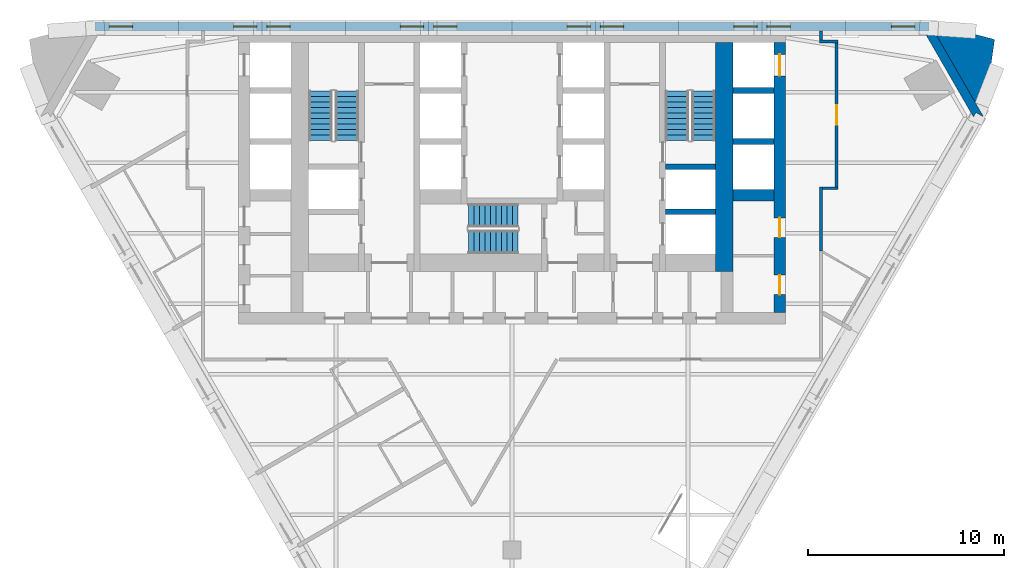
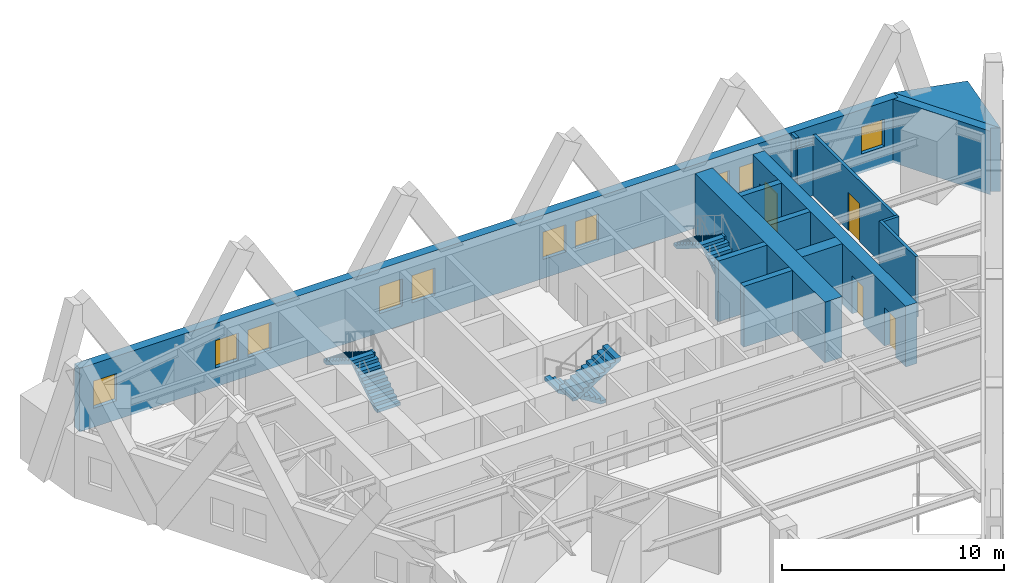
# One storey, part 8 of 10: 15 walls, 10 windows, 6 stair flights, 4 doors, 14 openings, 3 elements without a shape of their own.
"""IFC4 building model written with IfcOpenShell, lengths in metres."""

import ifcopenshell
import ifcopenshell.guid

model = None  # the IFC model being written
_history = None  # IfcOwnerHistory: only IFC2X3 demands one
_inside = {}  # id of a spatial element -> (the spatial element, [elements in it])
_under = {}  # id of a project, library or spatial element -> (it, [spatial elements below it])
_declared = {}  # id of a project -> (the project, [libraries it declares])
_typed = {}  # id of a type object -> (the type object, [elements of that type])
_made_of = {}  # id of a material, layer set ... -> (it, [elements and type objects made of it])


def new_model(schema):
    """Start an empty IFC model of exactly this schema.

    Asked for "IFC4X3", IfcOpenShell would pick the latest addendum, in which some entities
    have other attributes; the version numbers below select the first issue.
    IFC2X3 requires an IfcOwnerHistory on every rooted entity: one is made here for all.
    """
    global model, _history
    if schema == "IFC4X3":
        model = ifcopenshell.file(schema_version=(4, 3, 0, 0))
    else:
        model = ifcopenshell.file(schema=schema)
    _inside.clear()
    _under.clear()
    _declared.clear()
    _typed.clear()
    _made_of.clear()
    _history = None
    if model.schema == "IFC2X3":
        org = make("IfcOrganization", Name="unknown")
        user = make(
            "IfcPersonAndOrganization",
            ThePerson=make("IfcPerson", FamilyName="unknown"),
            TheOrganization=org,
        )
        app = make(
            "IfcApplication",
            ApplicationDeveloper=org,
            Version="unknown",
            ApplicationFullName="unknown",
            ApplicationIdentifier="unknown",
        )
        _history = make(
            "IfcOwnerHistory",
            OwningUser=user,
            OwningApplication=app,
            ChangeAction="ADDED",
            CreationDate=0,
        )
    return model


def make(cls, **values):
    """One entity of the class cls with the attributes given. An attribute that is None is left unset."""
    return model.create_entity(
        cls, **{name: value for name, value in values.items() if value is not None}
    )


def rooted(cls, **values):
    """An entity with a GlobalId (a new one), such as an element, a storey or a relation."""
    return make(cls, GlobalId=ifcopenshell.guid.new(), OwnerHistory=_history, **values)


def si_unit(unit_type, name, prefix=None):
    """IfcSIUnit, for example si_unit("LENGTHUNIT", "METRE", prefix="MILLI")."""
    return make("IfcSIUnit", UnitType=unit_type, Prefix=prefix, Name=name)


def assignment(units):
    """IfcUnitAssignment: the units of a project."""
    return None if units is None else make("IfcUnitAssignment", Units=units)


def point(xyz):
    """IfcCartesianPoint."""
    return None if xyz is None else make("IfcCartesianPoint", Coordinates=xyz)


def direction(xyz):
    """IfcDirection."""
    return None if xyz is None else make("IfcDirection", DirectionRatios=xyz)


def frame(location, z_axis=None, x_axis=None):
    """IfcAxis2Placement3D, a coordinate frame: its origin and axes. An axis left out is left unset."""
    return make(
        "IfcAxis2Placement3D",
        Location=point(location),
        Axis=direction(z_axis),
        RefDirection=direction(x_axis),
    )


def frame_2d(location, x_axis=None):
    """IfcAxis2Placement2D, a coordinate frame in the plane: its origin and x axis."""
    return make(
        "IfcAxis2Placement2D", Location=point(location), RefDirection=direction(x_axis)
    )


def origin():
    """The frame at (0, 0, 0) with its axes left unset."""
    return frame((0.0, 0.0, 0.0))


def place(relative_to, where):
    """IfcLocalPlacement: puts the frame where relative to a parent placement (None: the world)."""
    return make(
        "IfcLocalPlacement", PlacementRelTo=relative_to, RelativePlacement=where
    )


def context(
    kind, dimensions, precision=None, world=None, true_north=None, identifier=None
):
    """IfcGeometricRepresentationContext, for example the 3D "Model" context."""
    return make(
        "IfcGeometricRepresentationContext",
        ContextIdentifier=identifier,
        ContextType=kind,
        CoordinateSpaceDimension=dimensions,
        Precision=precision,
        WorldCoordinateSystem=world,
        TrueNorth=true_north,
    )


def subcontext(parent, identifier, kind, view, scale=None):
    """IfcGeometricRepresentationSubContext, for example "Body" below "Model"."""
    return make(
        "IfcGeometricRepresentationSubContext",
        ContextIdentifier=identifier,
        ContextType=kind,
        ParentContext=parent,
        TargetScale=scale,
        TargetView=view,
    )


def project(units=None, contexts=None):
    """IfcProject with its units and contexts."""
    return rooted(
        "IfcProject",
        Name="project",
        RepresentationContexts=contexts,
        UnitsInContext=assignment(units),
    )


def spatial(cls, under=None, at=None, **own):
    """A site, building, storey or space (cls), placed at a placement, below another one or the project."""
    s = rooted(cls, ObjectPlacement=at, **own)
    if under is not None:
        _under.setdefault(under.id(), (under, []))[1].append(s)
    return s


def polyline(points):
    """IfcPolyline through the points."""
    return make("IfcPolyline", Points=[point(p) for p in points])


def profile(cls, at=None, kind="AREA", **sizes):
    """A parametric profile (cls). Its sizes go by their IFC names, for example OverallWidth=200.0."""
    return make(cls, ProfileType=kind, Position=at, **sizes)


def rectangle(**sizes):
    """IfcRectangleProfileDef."""
    return profile("IfcRectangleProfileDef", **sizes)


def outline(outer, holes=None, kind="AREA"):
    """IfcArbitraryClosedProfileDef: a profile drawn as a closed curve; with holes, ...WithVoids."""
    if holes is None:
        return make("IfcArbitraryClosedProfileDef", ProfileType=kind, OuterCurve=outer)
    return make(
        "IfcArbitraryProfileDefWithVoids",
        ProfileType=kind,
        OuterCurve=outer,
        InnerCurves=holes,
    )


def extrude(swept, where, along, depth):
    """IfcExtrudedAreaSolid: the profile swept, set in the frame where, extruded along a direction by depth."""
    return make(
        "IfcExtrudedAreaSolid",
        SweptArea=swept,
        Position=where,
        ExtrudedDirection=direction(along),
        Depth=depth,
    )


def shape(context_of_items, identifier, shape_type, items):
    """IfcShapeRepresentation: the items that make up one representation, for example the "Body"."""
    return make(
        "IfcShapeRepresentation",
        ContextOfItems=context_of_items,
        RepresentationIdentifier=identifier,
        RepresentationType=shape_type,
        Items=items,
    )


def material(Name=None, Category=None):
    """IfcMaterial."""
    return make("IfcMaterial", Name=Name, Category=Category)


def layer(
    of_material, thickness, ventilated=None, Name=None, Category=None, Priority=None
):
    """IfcMaterialLayer: one layer of a wall or slab, of a material (None: an air gap)."""
    return make(
        "IfcMaterialLayer",
        Material=of_material,
        LayerThickness=thickness,
        IsVentilated=ventilated,
        Name=Name,
        Category=Category,
        Priority=Priority,
    )


def layer_set(layers, Name=None):
    """IfcMaterialLayerSet."""
    return make("IfcMaterialLayerSet", MaterialLayers=layers, LayerSetName=Name)


def made_of(thing, what):
    """Note that an element or type object is made of a material, layer set ...; save() writes the relation."""
    if what is not None:
        _made_of.setdefault(what.id(), (what, []))[1].append(thing)
    return thing


def type_object(cls, material=None, **own):
    """A type object (cls), such as IfcWallType, which elements share."""
    return made_of(rooted(cls, **own), material)


def element(
    cls,
    number,
    at=None,
    inside=None,
    cuts=None,
    type_object=None,
    material=None,
    context=None,
    identifier="Body",
    shape_type=None,
    held_by="IfcProductDefinitionShape",
    body=None,
    shapes=None,
    **own,
):
    """One element of the class cls, such as IfcWall. Its Tag is "e" and its number.

    at: its placement. inside: the storey or other place that contains it. cuts: it is an
    opening in that element (IfcRelVoidsElement). A single representation is given by context,
    identifier, shape_type and body (its items); several are given by shapes. held_by: the class
    of the entity that holds the representations. save() writes the other relations.
    """
    e = rooted(cls, Tag="e%d" % number, ObjectPlacement=at, **own)
    if body is not None:
        shapes = [shape(context, identifier, shape_type, body)]
    if shapes is not None:
        e.Representation = make(held_by, Representations=shapes)
    if inside is not None:
        _inside.setdefault(inside.id(), (inside, []))[1].append(e)
    if cuts is not None:
        rooted(
            "IfcRelVoidsElement", RelatingBuildingElement=cuts, RelatedOpeningElement=e
        )
    if type_object is not None:
        _typed.setdefault(type_object.id(), (type_object, []))[1].append(e)
    return made_of(e, material)


def fill(opening, filler):
    """IfcRelFillsElement: the door or window that sits in an opening."""
    return rooted(
        "IfcRelFillsElement",
        RelatingOpeningElement=opening,
        RelatedBuildingElement=filler,
    )


def aggregate(whole, parts):
    """IfcRelAggregates: a whole, such as a stair, and the parts it consists of."""
    return rooted("IfcRelAggregates", RelatingObject=whole, RelatedObjects=parts)


def save(model, path):
    """Write the relations noted so far, then the file.

    IfcRelAggregates (storeys below a building ...), IfcRelContainedInSpatialStructure (elements
    in a storey), IfcRelDefinesByType, IfcRelAssociatesMaterial and IfcRelDeclares: one each for
    every whole, place, type object, material and project.
    """
    for whole, parts in _under.values():
        aggregate(whole, parts)
    for where, things in _inside.values():
        rooted(
            "IfcRelContainedInSpatialStructure",
            RelatedElements=things,
            RelatingStructure=where,
        )
    for kind, things in _typed.values():
        rooted("IfcRelDefinesByType", RelatedObjects=things, RelatingType=kind)
    for what, things in _made_of.values():
        rooted("IfcRelAssociatesMaterial", RelatedObjects=things, RelatingMaterial=what)
    for by, libraries in _declared.values():
        rooted("IfcRelDeclares", RelatingContext=by, RelatedDefinitions=libraries)
    model.write(path)


model = new_model("IFC4")

# Units and contexts
model_context = context("Model", 3, precision=1e-05, world=origin(), true_north=direction((0.0, 1.0)))
body_context = subcontext(model_context, "Body", "Model", "MODEL_VIEW")
ifc_project = project(units=[si_unit("LENGTHUNIT", "METRE"), si_unit("AREAUNIT", "SQUARE_METRE"), si_unit("VOLUMEUNIT", "CUBIC_METRE"), si_unit("PLANEANGLEUNIT", "RADIAN"), si_unit("MASSUNIT", "GRAM", prefix="KILO")], contexts=[model_context])

# Site, building, storey
site_placement = place(None, origin())
site = spatial("IfcSite", under=ifc_project, at=site_placement, CompositionType="ELEMENT")
building_placement = place(site_placement, origin())
building = spatial("IfcBuilding", under=site, at=building_placement, Name="Aloe Facet Convention Tower", CompositionType="ELEMENT")
storey_placement = place(building_placement, frame((0.0, 0.0, 116.800048828125)))
storey = spatial("IfcBuildingStorey", under=building, at=storey_placement, Name="L29", CompositionType="ELEMENT", Elevation=116.800048828125)

# Walls
ifc_material_1 = material(Name="Concrete C70/85", Category="concrete")
ifc_layer_1 = layer(ifc_material_1, 0.300048828125)
ifc_layer_set_1 = layer_set([ifc_layer_1], Name="CR-W-RC300-C7085")
wall_type_1 = type_object("IfcWallType", Name="CR-W-RC300-C7085", PredefinedType="SOLIDWALL", material=ifc_layer_set_1)
for number, where, z_axis, x_axis, name in (
    (1, (87.85009765625, 127.60009765625, 0.0), (0.0, 0.0, 1.0), (1.0, 0.0, 0.0), "Core wall L29-044"),
    (2, (87.85009765625, 125.300048828125, 0.0), (0.0, 0.0, 1.0), (1.0, 0.0, 0.0), "Core wall L29-045"),
):
    element("IfcWall", number, at=place(storey_placement, frame(where, z_axis=z_axis, x_axis=x_axis)), inside=storey, type_object=wall_type_1, Name=name, PredefinedType="SOLIDWALL", context=body_context, shape_type="SweptSolid", body=[
        extrude(rectangle(XDim=2.5498046875, YDim=0.300048828125, at=frame_2d((1.27490234375, 0.0))), origin(), (0.0, 0.0, 1.0), 3.349853515625),
    ])
for number, where, z_axis, x_axis, name in (
    (3, (91.300048828125, 131.5, 0.0), (0.0, 0.0, 1.0), (1.0, 0.0, 0.0), "Core wall L29-050"),
    (4, (91.300048828125, 128.89990234375, 0.0), (0.0, 0.0, 1.0), (1.0, 0.0, 0.0), "Core wall L29-051"),
):
    element("IfcWall", number, at=place(storey_placement, frame(where, z_axis=z_axis, x_axis=x_axis)), inside=storey, type_object=wall_type_1, Name=name, PredefinedType="SOLIDWALL", context=body_context, shape_type="SweptSolid", body=[
        extrude(rectangle(XDim=2.099853515625, YDim=0.300048828125, at=frame_2d((1.0498046875, 0.0))), origin(), (0.0, 0.0, 1.0), 3.349853515625),
    ])
ifc_material_2 = material(Name="Concrete C70/85", Category="concrete")
ifc_layer_2 = layer(ifc_material_2, 0.60009765625)
ifc_layer_set_2 = layer_set([ifc_layer_2], Name="CR-W-RC600-C7085")
wall_type_2 = type_object("IfcWallType", Name="CR-W-RC600-C7085", PredefinedType="SOLIDWALL", material=ifc_layer_set_2)
wall_1_placement = place(storey_placement, frame((91.300048828125, 126.14990234375, 0.0), z_axis=(0.0, 0.0, 1.0), x_axis=(1.0, 0.0, 0.0)))
element("IfcWall", 5, at=wall_1_placement, inside=storey, type_object=wall_type_2, Name="Core wall L29-052", PredefinedType="SOLIDWALL", context=body_context, shape_type="SweptSolid", body=[
    extrude(rectangle(XDim=2.099853515625, YDim=0.60009765625, at=frame_2d((1.0498046875, 0.0))), origin(), (0.0, 0.0, 1.0), 3.349853515625),
])

# Wall, openings, doors
wall_2_placement = place(storey_placement, frame((93.699951171875, 133.949951171875, 0.0), z_axis=(0.0, 0.0, 1.0), x_axis=(0.0, -1.0, 0.0)))
wall_2 = element("IfcWall", 6, at=wall_2_placement, inside=storey, type_object=wall_type_2, Name="Core wall L29-054", PredefinedType="SOLIDWALL", context=body_context, shape_type="SweptSolid", body=[
    extrude(rectangle(XDim=13.800048828125, YDim=0.60009765625, at=frame_2d((6.89990234375, 0.0))), origin(), (0.0, 0.0, 1.0), 3.349853515625),
])
opening_1_placement = place(wall_2_placement, frame((0.60009765625, 0.0, 0.0)))
opening_1 = element("IfcOpeningElement", 7, at=opening_1_placement, cuts=wall_2, Name="Opening LD-A8-L29", PredefinedType="OPENING", context=body_context, shape_type="SweptSolid", body=[
    extrude(rectangle(XDim=1.10009765625, YDim=2.10009765625, at=frame_2d((0.550048828125, 1.050048828125))), frame((0.0, 0.31005859375, 0.0), z_axis=(0.0, -1.0, 0.0), x_axis=(1.0, 0.0, 0.0)), (0.0, 0.0, 1.0), 0.6201171875),
])
opening_2_placement = place(wall_2_placement, frame((8.963134765625, 0.0, 0.0)))
opening_2 = element("IfcOpeningElement", 8, at=opening_2_placement, cuts=wall_2, Name="Opening L29-CD09", PredefinedType="OPENING", context=body_context, shape_type="SweptSolid", body=[
    extrude(rectangle(XDim=1.0, YDim=2.10009765625, at=frame_2d((0.5, 1.050048828125))), frame((0.0, 0.31005859375, 0.0), z_axis=(0.0, -1.0, 0.0), x_axis=(1.0, 0.0, 0.0)), (0.0, 0.0, 1.0), 0.6201171875),
])
opening_3_placement = place(wall_2_placement, frame((11.88818359375, 0.0, 0.0)))
opening_3 = element("IfcOpeningElement", 9, at=opening_3_placement, cuts=wall_2, Name="Opening L29-CD10", PredefinedType="OPENING", context=body_context, shape_type="SweptSolid", body=[
    extrude(rectangle(XDim=1.0, YDim=2.10009765625, at=frame_2d((0.5, 1.050048828125))), frame((0.0, 0.31005859375, 0.0), z_axis=(0.0, -1.0, 0.0), x_axis=(1.0, 0.0, 0.0)), (0.0, 0.0, 1.0), 0.6201171875),
])
ifc_material_3 = material(Name="Steel fire-resisting door set FD60", Category="steel")
door_type_1 = type_object("IfcDoorType", Name="CR-D-ROOM-1000-FD60-SLEFT", OperationType="SINGLE_SWING_LEFT", PredefinedType="DOOR", material=ifc_material_3)
door_1_placement = place(opening_2_placement, origin())
door_1 = element("IfcDoor", 10, at=door_1_placement, inside=storey, type_object=door_type_1, Name="Core door L29-CD09", OperationType="SINGLE_SWING_LEFT", OverallHeight=2.10009765625, OverallWidth=1.0, PredefinedType="DOOR", context=body_context, shape_type="SweptSolid", body=[
    extrude(rectangle(XDim=1.0, YDim=2.10009765625, at=frame_2d((0.5, 1.050048828125))), frame((0.0, 0.02490234375, 0.0), z_axis=(0.0, -1.0, 0.0), x_axis=(1.0, 0.0, 0.0)), (0.0, 0.0, 1.0), 0.050048828125),
])
fill(opening_2, door_1)
door_2_placement = place(opening_3_placement, origin())
door_2 = element("IfcDoor", 11, at=door_2_placement, inside=storey, type_object=door_type_1, Name="Core door L29-CD10", OperationType="SINGLE_SWING_LEFT", OverallHeight=2.10009765625, OverallWidth=1.0, PredefinedType="DOOR", context=body_context, shape_type="SweptSolid", body=[
    extrude(rectangle(XDim=1.0, YDim=2.10009765625, at=frame_2d((0.5, 1.050048828125))), frame((0.0, 0.02490234375, 0.0), z_axis=(0.0, -1.0, 0.0), x_axis=(1.0, 0.0, 0.0)), (0.0, 0.0, 1.0), 0.050048828125),
])
fill(opening_3, door_2)
ifc_material_4 = material(Name="Stainless steel sliding landing door", Category="steel")
door_type_2 = type_object("IfcDoorType", Name="CR-LD-1100-FD60-_LEFT", OperationType="SLIDING_TO_LEFT", PredefinedType="DOOR", material=ifc_material_4)
door_3_placement = place(opening_1_placement, origin())
door_3 = element("IfcDoor", 12, at=door_3_placement, inside=storey, type_object=door_type_2, Name="Landing door A8 L29", OperationType="SLIDING_TO_LEFT", OverallHeight=2.10009765625, OverallWidth=1.10009765625, PredefinedType="DOOR", context=body_context, shape_type="SweptSolid", body=[
    extrude(rectangle(XDim=1.10009765625, YDim=2.10009765625, at=frame_2d((0.550048828125, 1.050048828125))), frame((0.0, 0.02490234375, 0.0), z_axis=(0.0, -1.0, 0.0), x_axis=(1.0, 0.0, 0.0)), (0.0, 0.0, 1.0), 0.050048828125),
])
fill(opening_1, door_3)

# Walls
ifc_material_5 = material(Name="Concrete C70/85", Category="concrete")
ifc_layer_3 = layer(ifc_material_5, 0.89990234375)
ifc_layer_set_3 = layer_set([ifc_layer_3], Name="CR-W-RC900-C7085")
wall_type_3 = type_object("IfcWallType", Name="CR-W-RC900-C7085", PredefinedType="SOLIDWALL", material=ifc_layer_set_3)
wall_3_placement = place(storey_placement, frame((90.85009765625, 133.949951171875, 0.0), z_axis=(0.0, 0.0, 1.0), x_axis=(0.0, -1.0, 0.0)))
element("IfcWall", 13, at=wall_3_placement, inside=storey, type_object=wall_type_3, Name="Core wall L29-048", PredefinedType="SOLIDWALL", context=body_context, shape_type="SweptSolid", body=[
    extrude(rectangle(XDim=11.699951171875, YDim=0.89990234375, at=frame_2d((5.85009765625, 0.0))), origin(), (0.0, 0.0, 1.0), 3.349853515625),
])
ifc_material_6 = material(Name="Precast concrete C40/50", Category="concrete")
ifc_layer_4 = layer(ifc_material_6, 0.449951171875)
ifc_layer_set_4 = layer_set([ifc_layer_4], Name="EV-WALL-PIER")
wall_type_4 = type_object("IfcWallType", Name="EV-WALL-PIER", PredefinedType="SOLIDWALL", material=ifc_layer_set_4)
wall_4_placement = place(storey_placement, frame((0.0, 0.0, -0.150146484375)))
element("IfcWall", 14, at=wall_4_placement, inside=storey, type_object=wall_type_4, Name="EP-L29-C", PredefinedType="SOLIDWALL", context=body_context, shape_type="SweptSolid", body=[
    extrude(outline(polyline([(104.12158203125, 130.150146484375), (103.73193359375, 130.375244140625), (103.601806640625, 130.150146484375), (101.061767578125, 134.550048828125), (101.321533203125, 134.550048828125), (101.321533203125, 135.0), (104.12158203125, 130.150146484375)])), origin(), (0.0, 0.0, 1.0), 3.5),
])
ifc_material_7 = material(Name="Precast concrete C40/50", Category="concrete")
ifc_layer_5 = layer(ifc_material_7, 3.947998046875)
ifc_layer_set_5 = layer_set([ifc_layer_5], Name="EV-WALL-SPINE")
wall_type_5 = type_object("IfcWallType", Name="EV-WALL-SPINE", PredefinedType="SOLIDWALL", material=ifc_layer_set_5)
wall_5_placement = place(storey_placement, frame((0.0, 0.0, -0.150146484375)))
element("IfcWall", 15, at=wall_5_placement, inside=storey, type_object=wall_type_5, Name="SP-NE-L29", PredefinedType="SOLIDWALL", context=body_context, shape_type="SweptSolid", body=[
    extrude(outline(polyline([(104.12158203125, 130.150146484375), (104.6865234375, 134.110595703125), (101.321533203125, 135.0), (104.12158203125, 130.150146484375)])), origin(), (0.0, 0.0, 1.0), 3.5),
])

# Wall, openings, windows
ifc_material_8 = material(Name="Precast concrete C40/50", Category="concrete")
ifc_layer_6 = layer(ifc_material_8, 0.449951171875)
ifc_layer_set_6 = layer_set([ifc_layer_6], Name="EV-WALL-STONE")
wall_type_6 = type_object("IfcWallType", Name="EV-WALL-STONE", PredefinedType="SOLIDWALL", material=ifc_layer_set_6)
wall_6_placement = place(storey_placement, frame((101.321533203125, 134.77490234375, -0.150146484375), z_axis=(0.0, 0.0, 1.0), x_axis=(-1.0, 0.0, 0.0)))
wall_6 = element("IfcWall", 16, at=wall_6_placement, inside=storey, type_object=wall_type_6, Name="EW-L29-N01", PredefinedType="SOLIDWALL", context=body_context, shape_type="SweptSolid", body=[
    extrude(outline(polyline([(42.64306640625, 0.0), (42.64306640625, 3.5), (0.0, 3.5), (0.0, 0.0), (42.64306640625, 0.0)])), frame((0.0, 0.22509765625, 0.0), z_axis=(0.0, -1.0, 0.0), x_axis=(1.0, 0.0, 0.0)), (0.0, 0.0, 1.0), 0.449951171875),
])
opening_4_placement = place(wall_6_placement, frame((0.720458984375, 0.0, 1.050048828125)))
opening_4 = element("IfcOpeningElement", 17, at=opening_4_placement, cuts=wall_6, Name="Opening W-L29-N01", PredefinedType="OPENING", context=body_context, shape_type="SweptSolid", body=[
    extrude(rectangle(XDim=1.199951171875, YDim=1.5, at=frame_2d((0.60009765625, 0.75))), frame((0.0, 0.23486328125, 0.0), z_axis=(0.0, -1.0, 0.0), x_axis=(1.0, 0.0, 0.0)), (0.0, 0.0, 1.0), 0.469970703125),
])
opening_5_placement = place(wall_6_placement, frame((7.07861328125, 0.0, 1.050048828125)))
opening_5 = element("IfcOpeningElement", 18, at=opening_5_placement, cuts=wall_6, Name="Opening W-L29-N02", PredefinedType="OPENING", context=body_context, shape_type="SweptSolid", body=[
    extrude(rectangle(XDim=1.199951171875, YDim=1.5, at=frame_2d((0.60009765625, 0.75))), frame((0.0, 0.23486328125, 0.0), z_axis=(0.0, -1.0, 0.0), x_axis=(1.0, 0.0, 0.0)), (0.0, 0.0, 1.0), 0.469970703125),
])
opening_6_placement = place(wall_6_placement, frame((8.778564453125, 0.0, 1.050048828125)))
opening_6 = element("IfcOpeningElement", 19, at=opening_6_placement, cuts=wall_6, Name="Opening W-L29-N03", PredefinedType="OPENING", context=body_context, shape_type="SweptSolid", body=[
    extrude(rectangle(XDim=1.199951171875, YDim=1.5, at=frame_2d((0.60009765625, 0.75))), frame((0.0, 0.23486328125, 0.0), z_axis=(0.0, -1.0, 0.0), x_axis=(1.0, 0.0, 0.0)), (0.0, 0.0, 1.0), 0.469970703125),
])
opening_7_placement = place(wall_6_placement, frame((15.607177734375, 0.0, 1.050048828125)))
opening_7 = element("IfcOpeningElement", 20, at=opening_7_placement, cuts=wall_6, Name="Opening W-L29-N04", PredefinedType="OPENING", context=body_context, shape_type="SweptSolid", body=[
    extrude(rectangle(XDim=1.199951171875, YDim=1.5, at=frame_2d((0.60009765625, 0.75))), frame((0.0, 0.23486328125, 0.0), z_axis=(0.0, -1.0, 0.0), x_axis=(1.0, 0.0, 0.0)), (0.0, 0.0, 1.0), 0.469970703125),
])
opening_8_placement = place(wall_6_placement, frame((17.30712890625, 0.0, 1.050048828125)))
opening_8 = element("IfcOpeningElement", 21, at=opening_8_placement, cuts=wall_6, Name="Opening W-L29-N05", PredefinedType="OPENING", context=body_context, shape_type="SweptSolid", body=[
    extrude(rectangle(XDim=1.199951171875, YDim=1.5, at=frame_2d((0.60009765625, 0.75))), frame((0.0, 0.23486328125, 0.0), z_axis=(0.0, -1.0, 0.0), x_axis=(1.0, 0.0, 0.0)), (0.0, 0.0, 1.0), 0.469970703125),
])
opening_9_placement = place(wall_6_placement, frame((24.1357421875, 0.0, 1.050048828125)))
opening_9 = element("IfcOpeningElement", 22, at=opening_9_placement, cuts=wall_6, Name="Opening W-L29-N06", PredefinedType="OPENING", context=body_context, shape_type="SweptSolid", body=[
    extrude(rectangle(XDim=1.199951171875, YDim=1.5, at=frame_2d((0.60009765625, 0.75))), frame((0.0, 0.23486328125, 0.0), z_axis=(0.0, -1.0, 0.0), x_axis=(1.0, 0.0, 0.0)), (0.0, 0.0, 1.0), 0.469970703125),
])
opening_10_placement = place(wall_6_placement, frame((25.8359375, 0.0, 1.050048828125)))
opening_10 = element("IfcOpeningElement", 23, at=opening_10_placement, cuts=wall_6, Name="Opening W-L29-N07", PredefinedType="OPENING", context=body_context, shape_type="SweptSolid", body=[
    extrude(rectangle(XDim=1.199951171875, YDim=1.5, at=frame_2d((0.60009765625, 0.75))), frame((0.0, 0.23486328125, 0.0), z_axis=(0.0, -1.0, 0.0), x_axis=(1.0, 0.0, 0.0)), (0.0, 0.0, 1.0), 0.469970703125),
])
opening_11_placement = place(wall_6_placement, frame((32.66455078125, 0.0, 1.050048828125)))
opening_11 = element("IfcOpeningElement", 24, at=opening_11_placement, cuts=wall_6, Name="Opening W-L29-N08", PredefinedType="OPENING", context=body_context, shape_type="SweptSolid", body=[
    extrude(rectangle(XDim=1.199951171875, YDim=1.5, at=frame_2d((0.60009765625, 0.75))), frame((0.0, 0.23486328125, 0.0), z_axis=(0.0, -1.0, 0.0), x_axis=(1.0, 0.0, 0.0)), (0.0, 0.0, 1.0), 0.469970703125),
])
opening_12_placement = place(wall_6_placement, frame((34.364501953125, 0.0, 1.050048828125)))
opening_12 = element("IfcOpeningElement", 25, at=opening_12_placement, cuts=wall_6, Name="Opening W-L29-N09", PredefinedType="OPENING", context=body_context, shape_type="SweptSolid", body=[
    extrude(rectangle(XDim=1.199951171875, YDim=1.5, at=frame_2d((0.60009765625, 0.75))), frame((0.0, 0.23486328125, 0.0), z_axis=(0.0, -1.0, 0.0), x_axis=(1.0, 0.0, 0.0)), (0.0, 0.0, 1.0), 0.469970703125),
])
opening_13_placement = place(wall_6_placement, frame((40.722412109375, 0.0, 1.050048828125)))
opening_13 = element("IfcOpeningElement", 26, at=opening_13_placement, cuts=wall_6, Name="Opening W-L29-N10", PredefinedType="OPENING", context=body_context, shape_type="SweptSolid", body=[
    extrude(rectangle(XDim=1.199951171875, YDim=1.5, at=frame_2d((0.60009765625, 0.75))), frame((0.0, 0.23486328125, 0.0), z_axis=(0.0, -1.0, 0.0), x_axis=(1.0, 0.0, 0.0)), (0.0, 0.0, 1.0), 0.469970703125),
])
ifc_material_9 = material(Name="Aluminium frame, clear double glazing", Category="aluminium")
window_type = type_object("IfcWindowType", Name="EV-WIN-H12", PartitioningType="SINGLE_PANEL", PredefinedType="WINDOW", material=ifc_material_9)
window_1_placement = place(opening_4_placement, origin())
window_1 = element("IfcWindow", 27, at=window_1_placement, inside=storey, type_object=window_type, Name="W-L29-N01", OverallHeight=1.5, OverallWidth=1.199951171875, PartitioningType="SINGLE_PANEL", PredefinedType="WINDOW", context=body_context, shape_type="SweptSolid", body=[
    extrude(rectangle(XDim=1.199951171875, YDim=1.5, at=frame_2d((0.60009765625, 0.75))), frame((0.0, 0.030029296875, 0.0), z_axis=(0.0, -1.0, 0.0), x_axis=(1.0, 0.0, 0.0)), (0.0, 0.0, 1.0), 0.06005859375),
])
fill(opening_4, window_1)
window_2_placement = place(opening_5_placement, origin())
window_2 = element("IfcWindow", 28, at=window_2_placement, inside=storey, type_object=window_type, Name="W-L29-N02", OverallHeight=1.5, OverallWidth=1.199951171875, PartitioningType="SINGLE_PANEL", PredefinedType="WINDOW", context=body_context, shape_type="SweptSolid", body=[
    extrude(rectangle(XDim=1.199951171875, YDim=1.5, at=frame_2d((0.60009765625, 0.75))), frame((0.0, 0.030029296875, 0.0), z_axis=(0.0, -1.0, 0.0), x_axis=(1.0, 0.0, 0.0)), (0.0, 0.0, 1.0), 0.06005859375),
])
fill(opening_5, window_2)
window_3_placement = place(opening_6_placement, origin())
window_3 = element("IfcWindow", 29, at=window_3_placement, inside=storey, type_object=window_type, Name="W-L29-N03", OverallHeight=1.5, OverallWidth=1.199951171875, PartitioningType="SINGLE_PANEL", PredefinedType="WINDOW", context=body_context, shape_type="SweptSolid", body=[
    extrude(rectangle(XDim=1.199951171875, YDim=1.5, at=frame_2d((0.60009765625, 0.75))), frame((0.0, 0.030029296875, 0.0), z_axis=(0.0, -1.0, 0.0), x_axis=(1.0, 0.0, 0.0)), (0.0, 0.0, 1.0), 0.06005859375),
])
fill(opening_6, window_3)
window_4_placement = place(opening_7_placement, origin())
window_4 = element("IfcWindow", 30, at=window_4_placement, inside=storey, type_object=window_type, Name="W-L29-N04", OverallHeight=1.5, OverallWidth=1.199951171875, PartitioningType="SINGLE_PANEL", PredefinedType="WINDOW", context=body_context, shape_type="SweptSolid", body=[
    extrude(rectangle(XDim=1.199951171875, YDim=1.5, at=frame_2d((0.60009765625, 0.75))), frame((0.0, 0.030029296875, 0.0), z_axis=(0.0, -1.0, 0.0), x_axis=(1.0, 0.0, 0.0)), (0.0, 0.0, 1.0), 0.06005859375),
])
fill(opening_7, window_4)
window_5_placement = place(opening_8_placement, origin())
window_5 = element("IfcWindow", 31, at=window_5_placement, inside=storey, type_object=window_type, Name="W-L29-N05", OverallHeight=1.5, OverallWidth=1.199951171875, PartitioningType="SINGLE_PANEL", PredefinedType="WINDOW", context=body_context, shape_type="SweptSolid", body=[
    extrude(rectangle(XDim=1.199951171875, YDim=1.5, at=frame_2d((0.60009765625, 0.75))), frame((0.0, 0.030029296875, 0.0), z_axis=(0.0, -1.0, 0.0), x_axis=(1.0, 0.0, 0.0)), (0.0, 0.0, 1.0), 0.06005859375),
])
fill(opening_8, window_5)
window_6_placement = place(opening_9_placement, origin())
window_6 = element("IfcWindow", 32, at=window_6_placement, inside=storey, type_object=window_type, Name="W-L29-N06", OverallHeight=1.5, OverallWidth=1.199951171875, PartitioningType="SINGLE_PANEL", PredefinedType="WINDOW", context=body_context, shape_type="SweptSolid", body=[
    extrude(rectangle(XDim=1.199951171875, YDim=1.5, at=frame_2d((0.60009765625, 0.75))), frame((0.0, 0.030029296875, 0.0), z_axis=(0.0, -1.0, 0.0), x_axis=(1.0, 0.0, 0.0)), (0.0, 0.0, 1.0), 0.06005859375),
])
fill(opening_9, window_6)
window_7_placement = place(opening_10_placement, origin())
window_7 = element("IfcWindow", 33, at=window_7_placement, inside=storey, type_object=window_type, Name="W-L29-N07", OverallHeight=1.5, OverallWidth=1.199951171875, PartitioningType="SINGLE_PANEL", PredefinedType="WINDOW", context=body_context, shape_type="SweptSolid", body=[
    extrude(rectangle(XDim=1.199951171875, YDim=1.5, at=frame_2d((0.60009765625, 0.75))), frame((0.0, 0.030029296875, 0.0), z_axis=(0.0, -1.0, 0.0), x_axis=(1.0, 0.0, 0.0)), (0.0, 0.0, 1.0), 0.06005859375),
])
fill(opening_10, window_7)
window_8_placement = place(opening_11_placement, origin())
window_8 = element("IfcWindow", 34, at=window_8_placement, inside=storey, type_object=window_type, Name="W-L29-N08", OverallHeight=1.5, OverallWidth=1.199951171875, PartitioningType="SINGLE_PANEL", PredefinedType="WINDOW", context=body_context, shape_type="SweptSolid", body=[
    extrude(rectangle(XDim=1.199951171875, YDim=1.5, at=frame_2d((0.60009765625, 0.75))), frame((0.0, 0.030029296875, 0.0), z_axis=(0.0, -1.0, 0.0), x_axis=(1.0, 0.0, 0.0)), (0.0, 0.0, 1.0), 0.06005859375),
])
fill(opening_11, window_8)
window_9_placement = place(opening_12_placement, origin())
window_9 = element("IfcWindow", 35, at=window_9_placement, inside=storey, type_object=window_type, Name="W-L29-N09", OverallHeight=1.5, OverallWidth=1.199951171875, PartitioningType="SINGLE_PANEL", PredefinedType="WINDOW", context=body_context, shape_type="SweptSolid", body=[
    extrude(rectangle(XDim=1.199951171875, YDim=1.5, at=frame_2d((0.60009765625, 0.75))), frame((0.0, 0.030029296875, 0.0), z_axis=(0.0, -1.0, 0.0), x_axis=(1.0, 0.0, 0.0)), (0.0, 0.0, 1.0), 0.06005859375),
])
fill(opening_12, window_9)
window_10_placement = place(opening_13_placement, origin())
window_10 = element("IfcWindow", 36, at=window_10_placement, inside=storey, type_object=window_type, Name="W-L29-N10", OverallHeight=1.5, OverallWidth=1.199951171875, PartitioningType="SINGLE_PANEL", PredefinedType="WINDOW", context=body_context, shape_type="SweptSolid", body=[
    extrude(rectangle(XDim=1.199951171875, YDim=1.5, at=frame_2d((0.60009765625, 0.75))), frame((0.0, 0.030029296875, 0.0), z_axis=(0.0, -1.0, 0.0), x_axis=(1.0, 0.0, 0.0)), (0.0, 0.0, 1.0), 0.06005859375),
])
fill(opening_13, window_10)

# Walls
ifc_material_10 = material(Name="Gypsum board partition on steel studs", Category="steel")
ifc_layer_7 = layer(ifc_material_10, 0.14990234375)
ifc_layer_set_7 = layer_set([ifc_layer_7], Name="IN-W-CORR")
wall_type_7 = type_object("IfcWallType", Name="IN-W-CORR", PredefinedType="PARTITIONING", material=ifc_layer_set_7)
wall_7_placement = place(storey_placement, frame((95.800048828125, 123.30029296875, 0.0), z_axis=(0.0, 0.0, 1.0), x_axis=(0.0, 1.0, 0.0)))
element("IfcWall", 37, at=wall_7_placement, inside=storey, type_object=wall_type_7, Name="Partition L29-W034", PredefinedType="PARTITIONING", context=body_context, shape_type="SweptSolid", body=[
    extrude(rectangle(XDim=3.274658203125, YDim=0.14990234375, at=frame_2d((1.63720703125, 0.0))), origin(), (0.0, 0.0, 1.0), 3.349853515625),
])
wall_8_placement = place(storey_placement, frame((95.875, 126.5, 0.0), z_axis=(0.0, 0.0, 1.0), x_axis=(0.999999813758, 0.000610314198, 0.0)))
element("IfcWall", 38, at=wall_8_placement, inside=storey, type_object=wall_type_7, Name="Partition L29-W035", PredefinedType="PARTITIONING", context=body_context, shape_type="SweptSolid", body=[
    extrude(rectangle(XDim=0.800048828125, YDim=0.14990234375, at=frame_2d((0.39990234375, 0.0))), origin(), (0.0, 0.0, 1.0), 3.349853515625),
])
wall_9_placement = place(storey_placement, frame((95.72509765625, 134.0, 0.0), z_axis=(0.0, 0.0, 1.0), x_axis=(1.0, 0.0, 0.0)))
element("IfcWall", 39, at=wall_9_placement, inside=storey, type_object=wall_type_7, Name="Partition L29-W043", PredefinedType="PARTITIONING", context=body_context, shape_type="SweptSolid", body=[
    extrude(rectangle(XDim=0.949462890625, YDim=0.14990234375, at=frame_2d((0.474609375, 0.0))), origin(), (0.0, 0.0, 1.0), 2.886474609375),
])

# Wall, opening, door
wall_10_placement = place(storey_placement, frame((96.599609375, 133.925048828125, 0.0), z_axis=(0.0, 0.0, 1.0), x_axis=(6.6436354e-05, -0.999999997793, 0.0)))
wall_10 = element("IfcWall", 40, at=wall_10_placement, inside=storey, type_object=wall_type_7, Name="Partition L29-W044", PredefinedType="PARTITIONING", context=body_context, shape_type="SweptSolid", body=[
    extrude(rectangle(XDim=7.349609375, YDim=0.14990234375, at=frame_2d((3.6748046875, 0.0))), origin(), (0.0, 0.0, 1.0), 3.349853515625),
])
opening_14_placement = place(wall_10_placement, frame((3.1748046875, 0.0, 0.0)))
opening_14 = element("IfcOpeningElement", 41, at=opening_14_placement, cuts=wall_10, Name="Opening L29-003", PredefinedType="OPENING", context=body_context, shape_type="SweptSolid", body=[
    extrude(rectangle(XDim=1.0, YDim=2.10009765625, at=frame_2d((0.5, 1.050048828125))), frame((0.0, 0.0849609375, 0.0), z_axis=(0.0, -1.0, 0.0), x_axis=(1.0, 0.0, 0.0)), (0.0, 0.0, 1.0), 0.169921875),
])
ifc_material_11 = material(Name="Hardwood flush door FD30S", Category="wood")
door_type_3 = type_object("IfcDoorType", Name="IN-D-WIDE", OperationType="SINGLE_SWING_LEFT", PredefinedType="DOOR", material=ifc_material_11)
door_4_placement = place(opening_14_placement, origin())
door_4 = element("IfcDoor", 42, at=door_4_placement, inside=storey, type_object=door_type_3, Name="Door L29-003", OperationType="SINGLE_SWING_LEFT", OverallHeight=2.10009765625, OverallWidth=1.0, PredefinedType="DOOR", context=body_context, shape_type="SweptSolid", body=[
    extrude(rectangle(XDim=1.0, YDim=2.10009765625, at=frame_2d((0.5, 1.050048828125))), frame((0.0, 0.02490234375, 0.0), z_axis=(0.0, -1.0, 0.0), x_axis=(1.0, 0.0, 0.0)), (0.0, 0.0, 1.0), 0.050048828125),
])
fill(opening_14, door_4)

# Wall
wall_11_placement = place(storey_placement, frame((95.800048828125, 134.074951171875, 0.0), z_axis=(0.0, 0.0, 1.0), x_axis=(0.0, 1.0, 0.0)))
element("IfcWall", 43, at=wall_11_placement, inside=storey, type_object=wall_type_7, Name="Partition L29-W045", PredefinedType="PARTITIONING", context=body_context, shape_type="SweptSolid", body=[
    extrude(rectangle(XDim=0.465087890625, YDim=0.14990234375, at=frame_2d((0.232421875, 0.0))), origin(), (0.0, 0.0, 1.0), 3.349853515625),
])

# Stair, stair flights
ifc_material_12 = material(Name="Concrete C50/60", Category="concrete")
stair_type = type_object("IfcStairType", Name="CR-ST-20R", PredefinedType="HALF_TURN_STAIR", material=ifc_material_12)
stair_1_placement = place(storey_placement, origin())
stair_1 = element("IfcStair", 44, at=stair_1_placement, inside=storey, type_object=stair_type, Name="L29 Protected exit stair ST1", PredefinedType="HALF_TURN_STAIR")
ifc_material_13 = material(Name="Concrete C50/60", Category="concrete")
stair_flight_type = type_object("IfcStairFlightType", Name="CR-SFL-20R", PredefinedType="STRAIGHT", material=ifc_material_13)
stair_flight_1_placement = place(storey_placement, frame((71.550048828125, 128.949951171875, 0.0), z_axis=(0.0, 0.0, 1.0), x_axis=(0.0, 1.0, 0.0)))
stair_flight_1 = element("IfcStairFlight", 45, at=stair_flight_1_placement, type_object=stair_flight_type, Name="ST1 flight 1", NumberOfRisers=10, NumberOfTreads=9, PredefinedType="STRAIGHT", RiserHeight=0.175, TreadLength=0.28, context=body_context, shape_type="SweptSolid", body=[
    extrude(outline(polyline([(0.0, 0.0), (0.0, 0.175048828125), (0.280029296875, 0.175048828125), (0.280029296875, 0.35009765625), (0.56005859375, 0.35009765625), (0.56005859375, 0.52490234375), (0.840087890625, 0.52490234375), (0.840087890625, 0.699951171875), (1.1201171875, 0.699951171875), (1.1201171875, 0.875), (1.39990234375, 0.875), (1.39990234375, 1.050048828125), (1.679931640625, 1.050048828125), (1.679931640625, 1.22509765625), (1.9599609375, 1.22509765625), (1.9599609375, 1.39990234375), (2.239990234375, 1.39990234375), (2.239990234375, 1.574951171875), (2.52001953125, 1.574951171875), (2.52001953125, 1.75), (2.52001953125, 1.398193359375), (0.28271484375, 0.0), (0.0, 0.0)])), frame((0.0, 0.60009765625, 0.0), z_axis=(0.0, -1.0, 0.0), x_axis=(1.0, 0.0, 0.0)), (0.0, 0.0, 1.0), 1.199951171875),
])
stair_flight_2_placement = place(storey_placement, frame((70.199951171875, 131.469970703125, 1.75), z_axis=(0.0, 0.0, 1.0), x_axis=(0.0, -1.0, 0.0)))
stair_flight_2 = element("IfcStairFlight", 46, at=stair_flight_2_placement, type_object=stair_flight_type, Name="ST1 flight 2", NumberOfRisers=10, NumberOfTreads=9, PredefinedType="STRAIGHT", RiserHeight=0.175, TreadLength=0.28, context=body_context, shape_type="SweptSolid", body=[
    extrude(outline(polyline([(0.0, 0.0), (0.0, 0.175048828125), (0.280029296875, 0.175048828125), (0.280029296875, 0.35009765625), (0.56005859375, 0.35009765625), (0.56005859375, 0.52490234375), (0.840087890625, 0.52490234375), (0.840087890625, 0.699951171875), (1.1201171875, 0.699951171875), (1.1201171875, 0.875), (1.39990234375, 0.875), (1.39990234375, 1.050048828125), (1.679931640625, 1.050048828125), (1.679931640625, 1.22509765625), (1.9599609375, 1.22509765625), (1.9599609375, 1.39990234375), (2.239990234375, 1.39990234375), (2.239990234375, 1.574951171875), (2.52001953125, 1.574951171875), (2.52001953125, 1.75), (2.52001953125, 1.398193359375), (0.28271484375, 0.0), (0.0, 0.0)])), frame((0.0, 0.60009765625, 0.0), z_axis=(0.0, -1.0, 0.0), x_axis=(1.0, 0.0, 0.0)), (0.0, 0.0, 1.0), 1.199951171875),
])
aggregate(stair_1, [stair_flight_1, stair_flight_2])

stair_2_placement = place(storey_placement, origin())
stair_2 = element("IfcStair", 47, at=stair_2_placement, inside=storey, type_object=stair_type, Name="L29 Protected exit stair ST2", PredefinedType="HALF_TURN_STAIR")
stair_flight_3_placement = place(storey_placement, frame((89.800048828125, 128.949951171875, 0.0), z_axis=(0.0, 0.0, 1.0), x_axis=(0.0, 1.0, 0.0)))
stair_flight_3 = element("IfcStairFlight", 48, at=stair_flight_3_placement, type_object=stair_flight_type, Name="ST2 flight 1", NumberOfRisers=10, NumberOfTreads=9, PredefinedType="STRAIGHT", RiserHeight=0.175, TreadLength=0.28, context=body_context, shape_type="SweptSolid", body=[
    extrude(outline(polyline([(0.0, 0.0), (0.0, 0.175048828125), (0.280029296875, 0.175048828125), (0.280029296875, 0.35009765625), (0.56005859375, 0.35009765625), (0.56005859375, 0.52490234375), (0.840087890625, 0.52490234375), (0.840087890625, 0.699951171875), (1.1201171875, 0.699951171875), (1.1201171875, 0.875), (1.39990234375, 0.875), (1.39990234375, 1.050048828125), (1.679931640625, 1.050048828125), (1.679931640625, 1.22509765625), (1.9599609375, 1.22509765625), (1.9599609375, 1.39990234375), (2.239990234375, 1.39990234375), (2.239990234375, 1.574951171875), (2.52001953125, 1.574951171875), (2.52001953125, 1.75), (2.52001953125, 1.398193359375), (0.28271484375, 0.0), (0.0, 0.0)])), frame((0.0, 0.60009765625, 0.0), z_axis=(0.0, -1.0, 0.0), x_axis=(1.0, 0.0, 0.0)), (0.0, 0.0, 1.0), 1.199951171875),
])
stair_flight_4_placement = place(storey_placement, frame((88.449951171875, 131.469970703125, 1.75), z_axis=(0.0, 0.0, 1.0), x_axis=(0.0, -1.0, 0.0)))
stair_flight_4 = element("IfcStairFlight", 49, at=stair_flight_4_placement, type_object=stair_flight_type, Name="ST2 flight 2", NumberOfRisers=10, NumberOfTreads=9, PredefinedType="STRAIGHT", RiserHeight=0.175, TreadLength=0.28, context=body_context, shape_type="SweptSolid", body=[
    extrude(outline(polyline([(0.0, 0.0), (0.0, 0.175048828125), (0.280029296875, 0.175048828125), (0.280029296875, 0.35009765625), (0.56005859375, 0.35009765625), (0.56005859375, 0.52490234375), (0.840087890625, 0.52490234375), (0.840087890625, 0.699951171875), (1.1201171875, 0.699951171875), (1.1201171875, 0.875), (1.39990234375, 0.875), (1.39990234375, 1.050048828125), (1.679931640625, 1.050048828125), (1.679931640625, 1.22509765625), (1.9599609375, 1.22509765625), (1.9599609375, 1.39990234375), (2.239990234375, 1.39990234375), (2.239990234375, 1.574951171875), (2.52001953125, 1.574951171875), (2.52001953125, 1.75), (2.52001953125, 1.398193359375), (0.28271484375, 0.0), (0.0, 0.0)])), frame((0.0, 0.60009765625, 0.0), z_axis=(0.0, -1.0, 0.0), x_axis=(1.0, 0.0, 0.0)), (0.0, 0.0, 1.0), 1.199951171875),
])
aggregate(stair_2, [stair_flight_3, stair_flight_4])

stair_3_placement = place(storey_placement, origin())
stair_3 = element("IfcStair", 50, at=stair_3_placement, inside=storey, type_object=stair_type, Name="L29 Protected exit stair ST3", PredefinedType="HALF_TURN_STAIR")
stair_flight_5_placement = place(storey_placement, frame((80.300048828125, 125.10009765625, 0.0), z_axis=(0.0, 0.0, 1.0), x_axis=(-1.0, 0.0, 0.0)))
stair_flight_5 = element("IfcStairFlight", 51, at=stair_flight_5_placement, type_object=stair_flight_type, Name="ST3 flight 1", NumberOfRisers=10, NumberOfTreads=9, PredefinedType="STRAIGHT", RiserHeight=0.175, TreadLength=0.28, context=body_context, shape_type="SweptSolid", body=[
    extrude(outline(polyline([(0.0, 0.0), (0.0, 0.175048828125), (0.280029296875, 0.175048828125), (0.280029296875, 0.35009765625), (0.56005859375, 0.35009765625), (0.56005859375, 0.52490234375), (0.840087890625, 0.52490234375), (0.840087890625, 0.699951171875), (1.1201171875, 0.699951171875), (1.1201171875, 0.875), (1.39990234375, 0.875), (1.39990234375, 1.050048828125), (1.679931640625, 1.050048828125), (1.679931640625, 1.22509765625), (1.9599609375, 1.22509765625), (1.9599609375, 1.39990234375), (2.239990234375, 1.39990234375), (2.239990234375, 1.574951171875), (2.52001953125, 1.574951171875), (2.52001953125, 1.75), (2.52001953125, 1.398193359375), (0.28271484375, 0.0), (0.0, 0.0)])), frame((0.0, 0.60009765625, 0.0), z_axis=(0.0, -1.0, 0.0), x_axis=(1.0, 0.0, 0.0)), (0.0, 0.0, 1.0), 1.199951171875),
])
stair_flight_6_placement = place(storey_placement, frame((77.780029296875, 123.75, 1.75), z_axis=(0.0, 0.0, 1.0), x_axis=(1.0, 0.0, 0.0)))
stair_flight_6 = element("IfcStairFlight", 52, at=stair_flight_6_placement, type_object=stair_flight_type, Name="ST3 flight 2", NumberOfRisers=10, NumberOfTreads=9, PredefinedType="STRAIGHT", RiserHeight=0.175, TreadLength=0.28, context=body_context, shape_type="SweptSolid", body=[
    extrude(outline(polyline([(0.0, 0.0), (0.0, 0.175048828125), (0.280029296875, 0.175048828125), (0.280029296875, 0.35009765625), (0.56005859375, 0.35009765625), (0.56005859375, 0.52490234375), (0.840087890625, 0.52490234375), (0.840087890625, 0.699951171875), (1.1201171875, 0.699951171875), (1.1201171875, 0.875), (1.39990234375, 0.875), (1.39990234375, 1.050048828125), (1.679931640625, 1.050048828125), (1.679931640625, 1.22509765625), (1.9599609375, 1.22509765625), (1.9599609375, 1.39990234375), (2.239990234375, 1.39990234375), (2.239990234375, 1.574951171875), (2.52001953125, 1.574951171875), (2.52001953125, 1.75), (2.52001953125, 1.398193359375), (0.28271484375, 0.0), (0.0, 0.0)])), frame((0.0, 0.60009765625, 0.0), z_axis=(0.0, -1.0, 0.0), x_axis=(1.0, 0.0, 0.0)), (0.0, 0.0, 1.0), 1.199951171875),
])
aggregate(stair_3, [stair_flight_5, stair_flight_6])

save(model, "model.ifc")
